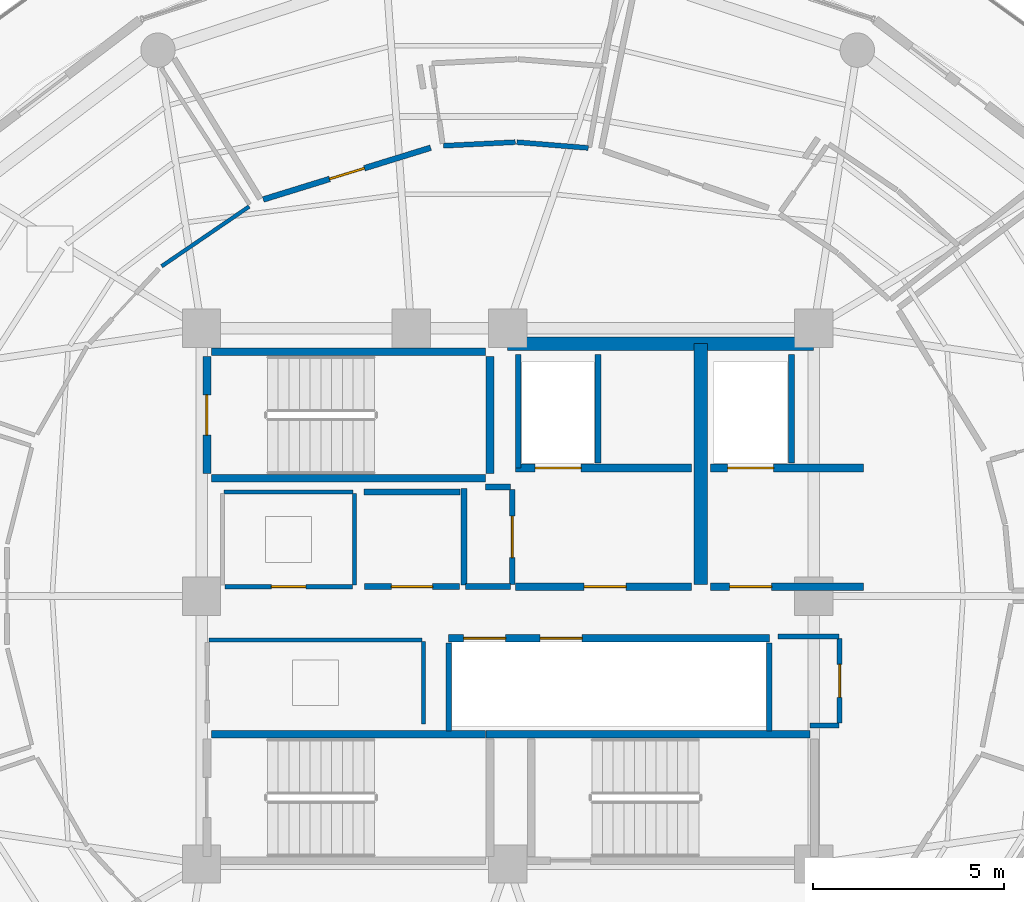
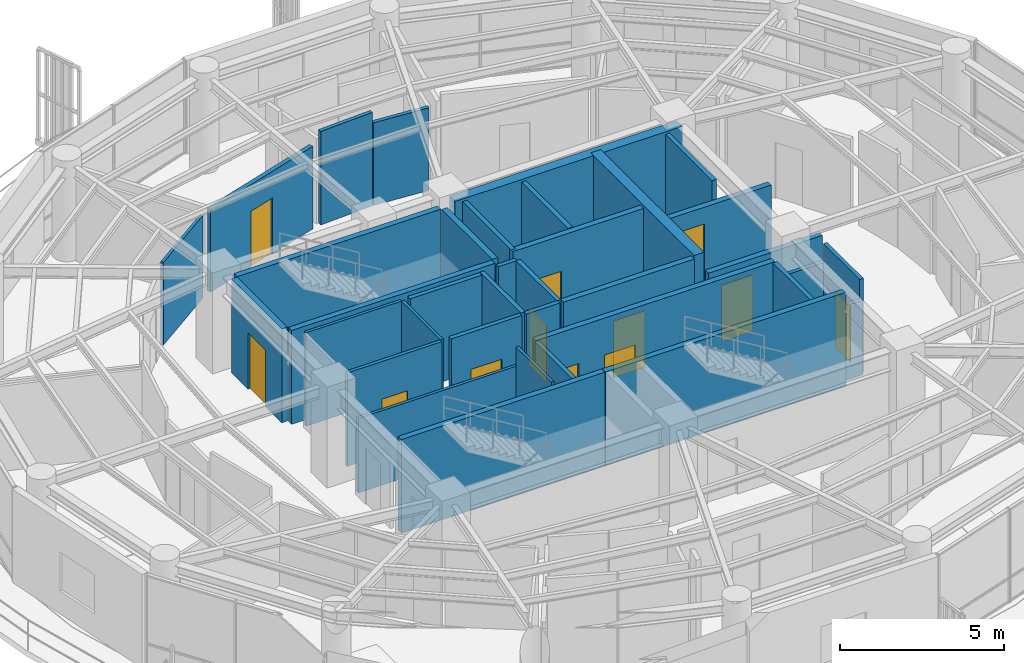
# One storey, part 17 of 23: 36 walls, 12 doors, 12 openings.
"""IFC4 building model written with IfcOpenShell, lengths in metres."""

from ifc_helpers import new_model, si_unit, direction, frame, frame_2d, origin, place, context, subcontext, project, spatial, rectangle, extrude, material, layer, layer_set, type_object, element, fill, save


model = new_model("IFC4")

# Units and contexts
model_context = context("Model", 3, precision=1e-05, world=origin(), true_north=direction((0.0, 1.0)))
body_context = subcontext(model_context, "Body", "Model", "MODEL_VIEW")
ifc_project = project(units=[si_unit("LENGTHUNIT", "METRE"), si_unit("AREAUNIT", "SQUARE_METRE"), si_unit("VOLUMEUNIT", "CUBIC_METRE"), si_unit("PLANEANGLEUNIT", "RADIAN"), si_unit("MASSUNIT", "GRAM", prefix="KILO")], contexts=[model_context])

# Site, building, storey
site_placement = place(None, origin())
site = spatial("IfcSite", under=ifc_project, at=site_placement, CompositionType="ELEMENT")
building_placement = place(site_placement, origin())
building = spatial("IfcBuilding", under=site, at=building_placement, Name="Kelanora Arch Commons", CompositionType="ELEMENT")
storey_placement = place(building_placement, frame((0.0, 0.0, 252.449951171875)))
storey = spatial("IfcBuildingStorey", under=building, at=storey_placement, Name="L64", CompositionType="ELEMENT", Elevation=252.449951171875)

# Walls
ifc_material_1 = material(Name="Autoclaved aerated concrete blockwork with fire plaster", Category="masonry")
ifc_layer_1 = layer(ifc_material_1, 0.14990234375)
ifc_layer_set_1 = layer_set([ifc_layer_1], Name="Autoclaved aerated concrete blockwork with fire plaster")
wall_type_1 = type_object("IfcWallType", Name="W-COMP-150", PredefinedType="PARTITIONING", material=ifc_layer_set_1)
wall_1_placement = place(storey_placement, frame((74.280029296875, 61.35009765625, 0.0), z_axis=(0.0, 0.0, 1.0), x_axis=(0.0, 1.0, 0.0)))
element("IfcWall", 1, at=wall_1_placement, inside=storey, type_object=wall_type_1, Name="Firefighting Lift 1 West Shaft Wall L64", PredefinedType="PARTITIONING", context=body_context, shape_type="SweptSolid", body=[
    extrude(rectangle(XDim=2.969970703125, YDim=0.14990234375, at=frame_2d((1.48486328125, 0.0))), origin(), (0.0, 0.0, 1.0), 3.47998046875),
])
for number, where, z_axis, x_axis, name in (
    (2, (76.360107421875, 61.47998046875, 0.0), (0.0, 0.0, 1.0), (0.0, 1.0, 0.0), "Firefighting Lift 1 East Shaft Wall L64"),
    (3, (81.419921875, 61.47998046875, 0.0), (0.0, 0.0, 1.0), (0.0, 1.0, 0.0), "Firefighting Lift 2 East Shaft Wall L64"),
):
    element("IfcWall", number, at=place(storey_placement, frame(where, z_axis=z_axis, x_axis=x_axis)), inside=storey, type_object=wall_type_1, Name=name, PredefinedType="PARTITIONING", context=body_context, shape_type="SweptSolid", body=[
        extrude(rectangle(XDim=2.840087890625, YDim=0.14990234375, at=frame_2d((1.419921875, 0.0))), origin(), (0.0, 0.0, 1.0), 3.47998046875),
    ])
for number, where, z_axis, x_axis, name in (
    (4, (72.4599609375, 54.47998046875, 0.0), (0.0, 0.0, 1.0), (0.0, 1.0, 0.0), "South Lift Bank West Wall L64"),
    (5, (80.840087890625, 54.47998046875, 0.0), (0.0, 0.0, 1.0), (0.0, 1.0, 0.0), "South Lift Bank East Wall L64"),
):
    element("IfcWall", number, at=place(storey_placement, frame(where, z_axis=z_axis, x_axis=x_axis)), inside=storey, type_object=wall_type_1, Name=name, PredefinedType="PARTITIONING", context=body_context, shape_type="SweptSolid", body=[
        extrude(rectangle(XDim=2.2900390625, YDim=0.14990234375, at=frame_2d((1.14501953125, 0.0))), origin(), (0.0, 0.0, 1.0), 3.47998046875),
    ])

# Wall, opening, door
wall_2_placement = place(storey_placement, frame((74.1201171875, 58.31005859375, 0.0), z_axis=(0.0, 0.0, 1.0), x_axis=(0.0, 1.0, 0.0)))
wall_2 = element("IfcWall", 6, at=wall_2_placement, inside=storey, type_object=wall_type_1, Name="Core Linen Supply Store L64 Entry Partition", PredefinedType="PARTITIONING", context=body_context, shape_type="SweptSolid", body=[
    extrude(rectangle(XDim=2.47998046875, YDim=0.14990234375, at=frame_2d((1.239990234375, 0.0))), origin(), (0.0, 0.0, 1.0), 3.47998046875),
])
opening_1_placement = place(wall_2_placement, frame((0.699951171875, 0.0, 0.0)))
opening_1 = element("IfcOpeningElement", 7, at=opening_1_placement, cuts=wall_2, Name="Opening D-PLT1", PredefinedType="OPENING", context=body_context, shape_type="SweptSolid", body=[
    extrude(rectangle(XDim=1.080078125, YDim=2.10009765625, at=frame_2d((0.5400390625, 1.050048828125))), frame((0.0, 0.0849609375, 0.0), z_axis=(0.0, -1.0, 0.0), x_axis=(1.0, 0.0, 0.0)), (0.0, 0.0, 1.0), 0.169921875),
])
ifc_material_2 = material(Name="Galvanised steel plant and riser fire door", Category="steel")
door_type_1 = type_object("IfcDoorType", Name="D-PLT-110", OperationType="NOTDEFINED", PredefinedType="DOOR", material=ifc_material_2)
door_1_placement = place(opening_1_placement, origin())
door_1 = element("IfcDoor", 8, at=door_1_placement, inside=storey, type_object=door_type_1, Name="Core Linen Supply Store L64 Door", OperationType="SINGLE_SWING_RIGHT", OverallHeight=2.10009765625, OverallWidth=1.080078125, PredefinedType="DOOR", context=body_context, shape_type="SweptSolid", body=[
    extrude(rectangle(XDim=1.080078125, YDim=2.10009765625, at=frame_2d((0.5400390625, 1.050048828125))), frame((0.0, 0.02490234375, 0.0), z_axis=(0.0, -1.0, 0.0), x_axis=(1.0, 0.0, 0.0)), (0.0, 0.0, 1.0), 0.050048828125),
])
fill(opening_1, door_1)

wall_3_placement = place(storey_placement, frame((70.260009765625, 58.25, 0.0), z_axis=(0.0, 0.0, 1.0), x_axis=(1.0, 0.0, 0.0)))
wall_3 = element("IfcWall", 9, at=wall_3_placement, inside=storey, type_object=wall_type_1, Name="Reclaimed Core Linen Store L64 Entry Partition", PredefinedType="PARTITIONING", context=body_context, shape_type="SweptSolid", body=[
    extrude(rectangle(XDim=2.47998046875, YDim=0.14990234375, at=frame_2d((1.239990234375, 0.0))), origin(), (0.0, 0.0, 1.0), 3.47998046875),
])
opening_2_placement = place(wall_3_placement, frame((0.699951171875, 0.0, 0.0)))
opening_2 = element("IfcOpeningElement", 10, at=opening_2_placement, cuts=wall_3, Name="Opening D-PLT1", PredefinedType="OPENING", context=body_context, shape_type="SweptSolid", body=[
    extrude(rectangle(XDim=1.080078125, YDim=2.10009765625, at=frame_2d((0.5400390625, 1.050048828125))), frame((0.0, 0.0849609375, 0.0), z_axis=(0.0, -1.0, 0.0), x_axis=(1.0, 0.0, 0.0)), (0.0, 0.0, 1.0), 0.169921875),
])
door_2_placement = place(opening_2_placement, origin())
door_2 = element("IfcDoor", 11, at=door_2_placement, inside=storey, type_object=door_type_1, Name="Reclaimed Core Linen Store L64 Door", OperationType="SINGLE_SWING_LEFT", OverallHeight=2.10009765625, OverallWidth=1.080078125, PredefinedType="DOOR", context=body_context, shape_type="SweptSolid", body=[
    extrude(rectangle(XDim=1.080078125, YDim=2.10009765625, at=frame_2d((0.5400390625, 1.050048828125))), frame((0.0, 0.02490234375, 0.0), z_axis=(0.0, -1.0, 0.0), x_axis=(1.0, 0.0, 0.0)), (0.0, 0.0, 1.0), 0.050048828125),
])
fill(opening_2, door_2)

wall_4_placement = place(storey_placement, frame((71.98876953125, 69.72119140625, 0.0), z_axis=(0.0, 0.0, 1.0), x_axis=(-0.955414123224, -0.295269119863, 0.0)))
wall_4 = element("IfcWall", 12, at=wall_4_placement, inside=storey, type_object=wall_type_1, Name="Co-Living Studio L64-03 Entry Partition", PredefinedType="PARTITIONING", context=body_context, shape_type="SweptSolid", body=[
    extrude(rectangle(XDim=4.580810546875, YDim=0.14990234375, at=frame_2d((2.29052734375, 0.0))), origin(), (0.0, 0.0, 1.0), 3.074951171875),
])
opening_3_placement = place(wall_4_placement, frame((1.81494140625, 0.0, 0.0)))
opening_3 = element("IfcOpeningElement", 13, at=opening_3_placement, cuts=wall_4, Name="Opening D-CLU1", PredefinedType="OPENING", context=body_context, shape_type="SweptSolid", body=[
    extrude(rectangle(XDim=0.949951171875, YDim=2.080078125, at=frame_2d((0.47509765625, 1.0400390625))), frame((0.0, 0.0849609375, 0.0), z_axis=(0.0, -1.0, 0.0), x_axis=(1.0, 0.0, 0.0)), (0.0, 0.0, 1.0), 0.169921875),
])
ifc_material_3 = material(Name="Solid-core acoustic timber cluster entry fire door", Category="wood")
door_type_2 = type_object("IfcDoorType", Name="D-CLU-95", OperationType="NOTDEFINED", PredefinedType="DOOR", material=ifc_material_3)
door_3_placement = place(opening_3_placement, origin())
door_3 = element("IfcDoor", 14, at=door_3_placement, inside=storey, type_object=door_type_2, Name="Co-Living Studio L64-03 Door", OperationType="SINGLE_SWING_RIGHT", OverallHeight=2.080078125, OverallWidth=0.949951171875, PredefinedType="DOOR", context=body_context, shape_type="SweptSolid", body=[
    extrude(rectangle(XDim=0.949951171875, YDim=2.080078125, at=frame_2d((0.47509765625, 1.0400390625))), frame((0.0, 0.02490234375, 0.0), z_axis=(0.0, -1.0, 0.0), x_axis=(1.0, 0.0, 0.0)), (0.0, 0.0, 1.0), 0.050048828125),
])
fill(opening_3, door_3)

# Walls
wall_5_placement = place(storey_placement, frame((72.89990234375, 58.25, 0.0), z_axis=(0.0, 0.0, 1.0), x_axis=(1.0, 0.0, 0.0)))
element("IfcWall", 15, at=wall_5_placement, inside=storey, type_object=wall_type_1, Name="Core Linen Supply Store L64 Enclosure Partition 1", PredefinedType="PARTITIONING", context=body_context, shape_type="SweptSolid", body=[
    extrude(rectangle(XDim=1.18017578125, YDim=0.14990234375, at=frame_2d((0.590087890625, 0.0))), origin(), (0.0, 0.0, 1.0), 3.47998046875),
])
wall_6_placement = place(storey_placement, frame((74.080078125, 60.85009765625, 0.0), z_axis=(0.0, 0.0, 1.0), x_axis=(-1.0, 0.0, 0.0)))
element("IfcWall", 16, at=wall_6_placement, inside=storey, type_object=wall_type_1, Name="Core Linen Supply Store L64 Enclosure Partition 3", PredefinedType="PARTITIONING", context=body_context, shape_type="SweptSolid", body=[
    extrude(rectangle(XDim=0.66015625, YDim=0.14990234375, at=frame_2d((0.330078125, 0.0))), origin(), (0.0, 0.0, 1.0), 3.47998046875),
])
for number, where, z_axis, x_axis, name in (
    (17, (72.860107421875, 60.81005859375, 0.0), (0.0, 0.0, 1.0), (0.0, -1.0, 0.0), "Core Linen Supply Store L64 Enclosure Partition 4"),
    (18, (72.760009765625, 60.719970703125, 0.0), (0.0, 0.0, 1.0), (-1.0, 0.0, 0.0), "Reclaimed Core Linen Store L64 Enclosure Partition 3"),
):
    element("IfcWall", number, at=place(storey_placement, frame(where, z_axis=z_axis, x_axis=x_axis)), inside=storey, type_object=wall_type_1, Name=name, PredefinedType="PARTITIONING", context=body_context, shape_type="SweptSolid", body=[
        extrude(rectangle(XDim=2.52001953125, YDim=0.14990234375, at=frame_2d((1.260009765625, 0.0))), origin(), (0.0, 0.0, 1.0), 3.47998046875),
    ])
ifc_material_4 = material(Name="Concrete C50/60", Category="concrete")
ifc_layer_2 = layer(ifc_material_4, 0.35009765625)
ifc_layer_set_2 = layer_set([ifc_layer_2], Name="Concrete C50/60")
wall_type_2 = type_object("IfcWallType", Name="W-CORE-350", PredefinedType="SHEAR", material=ifc_layer_set_2)
wall_7_placement = place(storey_placement, frame((74.0, 64.60009765625, 0.0), z_axis=(0.0, 0.0, 1.0), x_axis=(1.0, 0.0, 0.0)))
element("IfcWall", 19, at=wall_7_placement, inside=storey, type_object=wall_type_2, Name="Core Shear Spine L64-CN-E", PredefinedType="SHEAR", context=body_context, shape_type="SweptSolid", body=[
    extrude(rectangle(XDim=8.0, YDim=0.35009765625, at=frame_2d((4.0, 0.0))), origin(), (0.0, 0.0, 1.0), 3.489990234375),
])
wall_8_placement = place(storey_placement, frame((79.050048828125, 58.300048828125, 0.0), z_axis=(0.0, 0.0, 1.0), x_axis=(0.0, 1.0, 0.0)))
element("IfcWall", 20, at=wall_8_placement, inside=storey, type_object=wall_type_2, Name="Core Shear Spine L64-CE-N", PredefinedType="SHEAR", context=body_context, shape_type="SweptSolid", body=[
    extrude(rectangle(XDim=6.300048828125, YDim=0.35009765625, at=frame_2d((3.14990234375, 0.0))), origin(), (0.0, 0.0, 1.0), 3.489990234375),
])

# Wall, opening, door
ifc_material_5 = material(Name="Concrete C40/50", Category="concrete")
ifc_layer_3 = layer(ifc_material_5, 0.199951171875)
ifc_layer_set_3 = layer_set([ifc_layer_3], Name="Concrete C40/50")
wall_type_3 = type_object("IfcWallType", Name="W-FFL-200", PredefinedType="SOLIDWALL", material=ifc_layer_set_3)
wall_9_placement = place(storey_placement, frame((74.199951171875, 61.35009765625, 0.0), z_axis=(0.0, 0.0, 1.0), x_axis=(1.0, 0.0, 0.0)))
wall_9 = element("IfcWall", 21, at=wall_9_placement, inside=storey, type_object=wall_type_3, Name="Firefighting Lift 1 Shaft Front L64", PredefinedType="SOLIDWALL", context=body_context, shape_type="SweptSolid", body=[
    extrude(rectangle(XDim=4.60009765625, YDim=0.199951171875, at=frame_2d((2.300048828125, 0.0))), origin(), (0.0, 0.0, 1.0), 3.47998046875),
])
opening_4_placement = place(wall_9_placement, frame((0.52001953125, 0.0, 0.0)))
opening_4 = element("IfcOpeningElement", 22, at=opening_4_placement, cuts=wall_9, Name="Opening LD-FF", PredefinedType="OPENING", context=body_context, shape_type="SweptSolid", body=[
    extrude(rectangle(XDim=1.199951171875, YDim=2.14990234375, at=frame_2d((0.60009765625, 1.074951171875))), frame((0.0, 0.10986328125, 0.0), z_axis=(0.0, -1.0, 0.0), x_axis=(1.0, 0.0, 0.0)), (0.0, 0.0, 1.0), 0.219970703125),
])
ifc_material_6 = material(Name="Fire-rated firefighters lift sliding landing door")
door_type_3 = type_object("IfcDoorType", Name="D-LIFT-FF", OperationType="NOTDEFINED", PredefinedType="DOOR", material=ifc_material_6)
door_4_placement = place(opening_4_placement, origin())
door_4 = element("IfcDoor", 23, at=door_4_placement, inside=storey, type_object=door_type_3, Name="Firefighting Lift LF-FF1 Landing Door L64", OperationType="DOUBLE_DOOR_SLIDING", OverallHeight=2.14990234375, OverallWidth=1.199951171875, PredefinedType="DOOR", context=body_context, shape_type="SweptSolid", body=[
    extrude(rectangle(XDim=1.199951171875, YDim=2.14990234375, at=frame_2d((0.60009765625, 1.074951171875))), frame((0.0, 0.02490234375, 0.0), z_axis=(0.0, -1.0, 0.0), x_axis=(1.0, 0.0, 0.0)), (0.0, 0.0, 1.0), 0.050048828125),
])
fill(opening_4, door_4)

wall_10_placement = place(storey_placement, frame((79.300048828125, 61.35009765625, 0.0), z_axis=(0.0, 0.0, 1.0), x_axis=(1.0, 0.0, 0.0)))
wall_10 = element("IfcWall", 24, at=wall_10_placement, inside=storey, type_object=wall_type_3, Name="Firefighting Lift 2 Shaft Front L64", PredefinedType="SOLIDWALL", context=body_context, shape_type="SweptSolid", body=[
    extrude(rectangle(XDim=4.0, YDim=0.199951171875, at=frame_2d((2.0, 0.0))), origin(), (0.0, 0.0, 1.0), 2.775146484375),
])
opening_5_placement = place(wall_10_placement, frame((0.449951171875, 0.0, 0.0)))
opening_5 = element("IfcOpeningElement", 25, at=opening_5_placement, cuts=wall_10, Name="Opening LD-FF", PredefinedType="OPENING", context=body_context, shape_type="SweptSolid", body=[
    extrude(rectangle(XDim=1.199951171875, YDim=2.14990234375, at=frame_2d((0.60009765625, 1.074951171875))), frame((0.0, 0.10986328125, 0.0), z_axis=(0.0, -1.0, 0.0), x_axis=(1.0, 0.0, 0.0)), (0.0, 0.0, 1.0), 0.219970703125),
])
door_5_placement = place(opening_5_placement, origin())
door_5 = element("IfcDoor", 26, at=door_5_placement, inside=storey, type_object=door_type_3, Name="Firefighting Lift LF-FF2 Landing Door L64", OperationType="DOUBLE_DOOR_SLIDING", OverallHeight=2.14990234375, OverallWidth=1.199951171875, PredefinedType="DOOR", context=body_context, shape_type="SweptSolid", body=[
    extrude(rectangle(XDim=1.199951171875, YDim=2.14990234375, at=frame_2d((0.60009765625, 1.074951171875))), frame((0.0, 0.02490234375, 0.0), z_axis=(0.0, -1.0, 0.0), x_axis=(1.0, 0.0, 0.0)), (0.0, 0.0, 1.0), 0.050048828125),
])
fill(opening_5, door_5)

wall_11_placement = place(storey_placement, frame((74.199951171875, 58.25, 0.0), z_axis=(0.0, 0.0, 1.0), x_axis=(1.0, 0.0, 0.0)))
wall_11 = element("IfcWall", 27, at=wall_11_placement, inside=storey, type_object=wall_type_3, Name="Firefighting Lobby 1 Enclosure Wall L64", PredefinedType="SOLIDWALL", context=body_context, shape_type="SweptSolid", body=[
    extrude(rectangle(XDim=4.60009765625, YDim=0.199951171875, at=frame_2d((2.300048828125, 0.0))), origin(), (0.0, 0.0, 1.0), 3.47998046875),
])
opening_6_placement = place(wall_11_placement, frame((1.800048828125, 0.0, 0.0)))
opening_6 = element("IfcOpeningElement", 28, at=opening_6_placement, cuts=wall_11, Name="Opening D-FFL1", PredefinedType="OPENING", context=body_context, shape_type="SweptSolid", body=[
    extrude(rectangle(XDim=1.10009765625, YDim=2.10009765625, at=frame_2d((0.550048828125, 1.050048828125))), frame((0.0, 0.10986328125, 0.0), z_axis=(0.0, -1.0, 0.0), x_axis=(1.0, 0.0, 0.0)), (0.0, 0.0, 1.0), 0.219970703125),
])
ifc_material_7 = material(Name="Smoke-sealed firefighting lobby fire door")
door_type_4 = type_object("IfcDoorType", Name="D-FFL-110", OperationType="NOTDEFINED", PredefinedType="DOOR", material=ifc_material_7)
door_6_placement = place(opening_6_placement, frame((1.10009765625, 0.0, 0.0), z_axis=(0.0, 0.0, 1.0), x_axis=(-1.0, 0.0, 0.0)))
door_6 = element("IfcDoor", 29, at=door_6_placement, inside=storey, type_object=door_type_4, Name="Firefighting Lobby 1 Door L64", OperationType="SINGLE_SWING_LEFT", OverallHeight=2.10009765625, OverallWidth=1.10009765625, PredefinedType="DOOR", context=body_context, shape_type="SweptSolid", body=[
    extrude(rectangle(XDim=1.10009765625, YDim=2.10009765625, at=frame_2d((0.550048828125, 1.050048828125))), frame((0.0, 0.02490234375, 0.0), z_axis=(0.0, -1.0, 0.0), x_axis=(1.0, 0.0, 0.0)), (0.0, 0.0, 1.0), 0.050048828125),
])
fill(opening_6, door_6)

wall_12_placement = place(storey_placement, frame((79.300048828125, 58.25, 0.0), z_axis=(0.0, 0.0, 1.0), x_axis=(1.0, 0.0, 0.0)))
wall_12 = element("IfcWall", 30, at=wall_12_placement, inside=storey, type_object=wall_type_3, Name="Firefighting Lobby 2 Enclosure Wall L64", PredefinedType="SOLIDWALL", context=body_context, shape_type="SweptSolid", body=[
    extrude(rectangle(XDim=4.0, YDim=0.199951171875, at=frame_2d((2.0, 0.0))), origin(), (0.0, 0.0, 1.0), 2.775146484375),
])
opening_7_placement = place(wall_12_placement, frame((0.5, 0.0, 0.0)))
opening_7 = element("IfcOpeningElement", 31, at=opening_7_placement, cuts=wall_12, Name="Opening D-FFL1", PredefinedType="OPENING", context=body_context, shape_type="SweptSolid", body=[
    extrude(rectangle(XDim=1.10009765625, YDim=2.10009765625, at=frame_2d((0.550048828125, 1.050048828125))), frame((0.0, 0.10986328125, 0.0), z_axis=(0.0, -1.0, 0.0), x_axis=(1.0, 0.0, 0.0)), (0.0, 0.0, 1.0), 0.219970703125),
])
door_7_placement = place(opening_7_placement, frame((1.10009765625, 0.0, 0.0), z_axis=(0.0, 0.0, 1.0), x_axis=(-1.0, 0.0, 0.0)))
door_7 = element("IfcDoor", 32, at=door_7_placement, inside=storey, type_object=door_type_4, Name="Firefighting Lobby 2 Door L64", OperationType="SINGLE_SWING_RIGHT", OverallHeight=2.10009765625, OverallWidth=1.10009765625, PredefinedType="DOOR", context=body_context, shape_type="SweptSolid", body=[
    extrude(rectangle(XDim=1.10009765625, YDim=2.10009765625, at=frame_2d((0.550048828125, 1.050048828125))), frame((0.0, 0.02490234375, 0.0), z_axis=(0.0, -1.0, 0.0), x_axis=(1.0, 0.0, 0.0)), (0.0, 0.0, 1.0), 0.050048828125),
])
fill(opening_7, door_7)

# Wall, openings, doors
wall_13_placement = place(storey_placement, frame((72.449951171875, 56.89990234375, 0.0), z_axis=(0.0, 0.0, 1.0), x_axis=(1.0, 0.0, 0.0)))
wall_13 = element("IfcWall", 33, at=wall_13_placement, inside=storey, type_object=wall_type_3, Name="Mid/High/Express Lift Shaft Front L64", PredefinedType="SOLIDWALL", context=body_context, shape_type="SweptSolid", body=[
    extrude(rectangle(XDim=8.400146484375, YDim=0.199951171875, at=frame_2d((4.2001953125, 0.0))), origin(), (0.0, 0.0, 1.0), 3.47998046875),
])
opening_8_placement = place(wall_13_placement, frame((0.39990234375, 0.0, 0.0)))
opening_8 = element("IfcOpeningElement", 34, at=opening_8_placement, cuts=wall_13, Name="Opening LD-01", PredefinedType="OPENING", context=body_context, shape_type="SweptSolid", body=[
    extrude(rectangle(XDim=1.10009765625, YDim=2.10009765625, at=frame_2d((0.550048828125, 1.050048828125))), frame((0.0, 0.10986328125, 0.0), z_axis=(0.0, -1.0, 0.0), x_axis=(1.0, 0.0, 0.0)), (0.0, 0.0, 1.0), 0.219970703125),
])
opening_9_placement = place(wall_13_placement, frame((2.39990234375, 0.0, 0.0)))
opening_9 = element("IfcOpeningElement", 35, at=opening_9_placement, cuts=wall_13, Name="Opening LD-01", PredefinedType="OPENING", context=body_context, shape_type="SweptSolid", body=[
    extrude(rectangle(XDim=1.10009765625, YDim=2.10009765625, at=frame_2d((0.550048828125, 1.050048828125))), frame((0.0, 0.10986328125, 0.0), z_axis=(0.0, -1.0, 0.0), x_axis=(1.0, 0.0, 0.0)), (0.0, 0.0, 1.0), 0.219970703125),
])
ifc_material_8 = material(Name="Stainless steel passenger lift sliding landing door", Category="steel")
door_type_5 = type_object("IfcDoorType", Name="D-LIFT-110", OperationType="NOTDEFINED", PredefinedType="DOOR", material=ifc_material_8)
door_8_placement = place(opening_8_placement, origin())
door_8 = element("IfcDoor", 36, at=door_8_placement, inside=storey, type_object=door_type_5, Name="Passenger Lift LF-P7 Landing Door L64", OperationType="DOUBLE_DOOR_SLIDING", OverallHeight=2.10009765625, OverallWidth=1.10009765625, PredefinedType="DOOR", context=body_context, shape_type="SweptSolid", body=[
    extrude(rectangle(XDim=1.10009765625, YDim=2.10009765625, at=frame_2d((0.550048828125, 1.050048828125))), frame((0.0, 0.02490234375, 0.0), z_axis=(0.0, -1.0, 0.0), x_axis=(1.0, 0.0, 0.0)), (0.0, 0.0, 1.0), 0.050048828125),
])
fill(opening_8, door_8)
door_9_placement = place(opening_9_placement, origin())
door_9 = element("IfcDoor", 37, at=door_9_placement, inside=storey, type_object=door_type_5, Name="Passenger Lift LF-P8 Landing Door L64", OperationType="DOUBLE_DOOR_SLIDING", OverallHeight=2.10009765625, OverallWidth=1.10009765625, PredefinedType="DOOR", context=body_context, shape_type="SweptSolid", body=[
    extrude(rectangle(XDim=1.10009765625, YDim=2.10009765625, at=frame_2d((0.550048828125, 1.050048828125))), frame((0.0, 0.02490234375, 0.0), z_axis=(0.0, -1.0, 0.0), x_axis=(1.0, 0.0, 0.0)), (0.0, 0.0, 1.0), 0.050048828125),
])
fill(opening_9, door_9)

# Walls
ifc_material_9 = material(Name="Lightweight fire-rated acoustic stud partition")
ifc_layer_4 = layer(ifc_material_9, 0.10009765625)
ifc_layer_set_4 = layer_set([ifc_layer_4], Name="Lightweight fire-rated acoustic stud partition")
wall_type_4 = type_object("IfcWallType", Name="W-PART-100", PredefinedType="PARTITIONING", material=ifc_layer_set_4)
wall_14_placement = place(storey_placement, frame((70.0, 58.2900390625, 0.0), z_axis=(0.0, 0.0, 1.0), x_axis=(0.0, 1.0, 0.0)))
element("IfcWall", 38, at=wall_14_placement, inside=storey, type_object=wall_type_4, Name="Reclaimed Core Quiet Phone Booths L64 Enclosure Partition 2", PredefinedType="PARTITIONING", context=body_context, shape_type="SweptSolid", body=[
    extrude(rectangle(XDim=2.389892578125, YDim=0.10009765625, at=frame_2d((1.19482421875, 0.0))), origin(), (0.0, 0.0, 1.0), 3.47998046875),
])
wall_15_placement = place(storey_placement, frame((69.9599609375, 60.719970703125, 0.0), z_axis=(0.0, 0.0, 1.0), x_axis=(-1.0, 0.0, 0.0)))
element("IfcWall", 39, at=wall_15_placement, inside=storey, type_object=wall_type_4, Name="Reclaimed Core Quiet Phone Booths L64 Enclosure Partition 3", PredefinedType="PARTITIONING", context=body_context, shape_type="SweptSolid", body=[
    extrude(rectangle(XDim=3.369873046875, YDim=0.10009765625, at=frame_2d((1.68505859375, 0.0))), origin(), (0.0, 0.0, 1.0), 3.47998046875),
])
wall_16_placement = place(storey_placement, frame((71.800048828125, 54.659912109375, 0.0), z_axis=(0.0, 0.0, 1.0), x_axis=(0.0, 1.0, 0.0)))
element("IfcWall", 40, at=wall_16_placement, inside=storey, type_object=wall_type_4, Name="Reclaimed Core High-Zone Pantry and Copy Room L64 Enclosure Partition 2", PredefinedType="PARTITIONING", context=body_context, shape_type="SweptSolid", body=[
    extrude(rectangle(XDim=2.150146484375, YDim=0.10009765625, at=frame_2d((1.0751953125, 0.0))), origin(), (0.0, 0.0, 1.0), 3.47998046875),
])
wall_17_placement = place(storey_placement, frame((71.760009765625, 56.85009765625, 0.0), z_axis=(0.0, 0.0, 1.0), x_axis=(-1.0, 0.0, 0.0)))
element("IfcWall", 41, at=wall_17_placement, inside=storey, type_object=wall_type_4, Name="Reclaimed Core High-Zone Pantry and Copy Room L64 Enclosure Partition 3", PredefinedType="PARTITIONING", context=body_context, shape_type="SweptSolid", body=[
    extrude(rectangle(XDim=5.570068359375, YDim=0.10009765625, at=frame_2d((2.78515625, 0.0))), origin(), (0.0, 0.0, 1.0), 2.775146484375),
])
wall_18_placement = place(storey_placement, frame((67.242919921875, 68.18359375, 0.0), z_axis=(0.0, 0.0, 1.0), x_axis=(-0.826087380575, -0.563542047814, 0.0)))
element("IfcWall", 42, at=wall_18_placement, inside=storey, type_object=wall_type_4, Name="Communal Dining and Social Hall L64-04 Enclosure Partition 1", PredefinedType="PARTITIONING", context=body_context, shape_type="SweptSolid", body=[
    extrude(rectangle(XDim=2.768310546875, YDim=0.10009765625, at=frame_2d((1.38427734375, 0.0))), origin(), (0.0, 0.0, 1.0), 3.074951171875),
])

# Wall, opening, door
ifc_material_10 = material(Name="Acoustic twin-stud fire-rated gypsum partition")
ifc_layer_5 = layer(ifc_material_10, 0.1201171875)
ifc_layer_set_5 = layer_set([ifc_layer_5], Name="Acoustic twin-stud fire-rated gypsum partition")
wall_type_5 = type_object("IfcWallType", Name="W-PART-120", PredefinedType="PARTITIONING", material=ifc_layer_set_5)
wall_19_placement = place(storey_placement, frame((66.610107421875, 58.25, 0.0), z_axis=(0.0, 0.0, 1.0), x_axis=(1.0, 0.0, 0.0)))
wall_19 = element("IfcWall", 43, at=wall_19_placement, inside=storey, type_object=wall_type_5, Name="Reclaimed Core Quiet Phone Booths L64 Entry Partition", PredefinedType="PARTITIONING", context=body_context, shape_type="SweptSolid", body=[
    extrude(rectangle(XDim=3.329833984375, YDim=0.1201171875, at=frame_2d((1.6650390625, 0.0))), origin(), (0.0, 0.0, 1.0), 3.47998046875),
])
opening_10_placement = place(wall_19_placement, frame((1.215087890625, 0.0, 0.0)))
opening_10 = element("IfcOpeningElement", 44, at=opening_10_placement, cuts=wall_19, Name="Opening D-RM1", PredefinedType="OPENING", context=body_context, shape_type="SweptSolid", body=[
    extrude(rectangle(XDim=0.89990234375, YDim=2.080078125, at=frame_2d((0.449951171875, 1.0400390625))), frame((0.0, 0.070068359375, 0.0), z_axis=(0.0, -1.0, 0.0), x_axis=(1.0, 0.0, 0.0)), (0.0, 0.0, 1.0), 0.14013671875),
])
ifc_material_11 = material(Name="Acoustic fire-rated timber study and lounge door", Category="wood")
door_type_6 = type_object("IfcDoorType", Name="D-ROOM-90", OperationType="NOTDEFINED", PredefinedType="DOOR", material=ifc_material_11)
door_10_placement = place(opening_10_placement, origin())
door_10 = element("IfcDoor", 45, at=door_10_placement, inside=storey, type_object=door_type_6, Name="Reclaimed Core Quiet Phone Booths L64 Door", OperationType="SINGLE_SWING_RIGHT", OverallHeight=2.080078125, OverallWidth=0.89990234375, PredefinedType="DOOR", context=body_context, shape_type="SweptSolid", body=[
    extrude(rectangle(XDim=0.89990234375, YDim=2.080078125, at=frame_2d((0.449951171875, 1.0400390625))), frame((0.0, 0.02490234375, 0.0), z_axis=(0.0, -1.0, 0.0), x_axis=(1.0, 0.0, 0.0)), (0.0, 0.0, 1.0), 0.050048828125),
])
fill(opening_10, door_10)

# Walls
ifc_layer_6 = layer(ifc_material_5, 0.199951171875)
ifc_layer_set_6 = layer_set([ifc_layer_6], Name="Concrete C40/50")
wall_type_6 = type_object("IfcWallType", Name="W-STAIR-200", PredefinedType="SHEAR", material=ifc_layer_set_6)
wall_20_placement = place(storey_placement, frame((66.260009765625, 61.080078125, 0.0), z_axis=(0.0, 0.0, 1.0), x_axis=(1.0, 0.0, 0.0)))
element("IfcWall", 46, at=wall_20_placement, inside=storey, type_object=wall_type_6, Name="Stair ST-T1 Shaft Wall S L64", PredefinedType="SHEAR", context=body_context, shape_type="SweptSolid", body=[
    extrude(rectangle(XDim=7.159912109375, YDim=0.199951171875, at=frame_2d((3.580078125, 0.0))), origin(), (0.0, 0.0, 1.0), 3.489990234375),
])
wall_21_placement = place(storey_placement, frame((73.5400390625, 61.199951171875, 0.0), z_axis=(0.0, 0.0, 1.0), x_axis=(0.0, 1.0, 0.0)))
element("IfcWall", 47, at=wall_21_placement, inside=storey, type_object=wall_type_6, Name="Stair ST-T1 Shaft Wall E L64", PredefinedType="SHEAR", context=body_context, shape_type="SweptSolid", body=[
    extrude(rectangle(XDim=3.070068359375, YDim=0.199951171875, at=frame_2d((1.53515625, 0.0))), origin(), (0.0, 0.0, 1.0), 3.489990234375),
])
wall_22_placement = place(storey_placement, frame((73.419921875, 64.389892578125, 0.0), z_axis=(0.0, 0.0, 1.0), x_axis=(-1.0, 0.0, 0.0)))
element("IfcWall", 48, at=wall_22_placement, inside=storey, type_object=wall_type_6, Name="Stair ST-T1 Shaft Wall N L64", PredefinedType="SHEAR", context=body_context, shape_type="SweptSolid", body=[
    extrude(rectangle(XDim=7.159912109375, YDim=0.199951171875, at=frame_2d((3.580078125, 0.0))), origin(), (0.0, 0.0, 1.0), 3.489990234375),
])

# Wall, opening, door
wall_23_placement = place(storey_placement, frame((66.139892578125, 64.27001953125, 0.0), z_axis=(0.0, 0.0, 1.0), x_axis=(0.0, -1.0, 0.0)))
wall_23 = element("IfcWall", 49, at=wall_23_placement, inside=storey, type_object=wall_type_6, Name="Stair ST-T1 Shaft Wall W L64", PredefinedType="SHEAR", context=body_context, shape_type="SweptSolid", body=[
    extrude(rectangle(XDim=3.070068359375, YDim=0.199951171875, at=frame_2d((1.53515625, 0.0))), origin(), (0.0, 0.0, 1.0), 3.489990234375),
])
opening_11_placement = place(wall_23_placement, frame((1.010009765625, 0.0, 0.0)))
opening_11 = element("IfcOpeningElement", 50, at=opening_11_placement, cuts=wall_23, Name="Opening D-ST1", PredefinedType="OPENING", context=body_context, shape_type="SweptSolid", body=[
    extrude(rectangle(XDim=1.050048828125, YDim=2.10009765625, at=frame_2d((0.52490234375, 1.050048828125))), frame((0.0, 0.10986328125, 0.0), z_axis=(0.0, -1.0, 0.0), x_axis=(1.0, 0.0, 0.0)), (0.0, 0.0, 1.0), 0.219970703125),
])
ifc_material_12 = material(Name="Steel fire-rated stairwell escape door", Category="steel")
door_type_7 = type_object("IfcDoorType", Name="D-STAIR-110", OperationType="NOTDEFINED", PredefinedType="DOOR", material=ifc_material_12)
door_11_placement = place(opening_11_placement, origin())
door_11 = element("IfcDoor", 51, at=door_11_placement, inside=storey, type_object=door_type_7, Name="Stair ST-T1 Escape Door L64", OperationType="SINGLE_SWING_LEFT", OverallHeight=2.10009765625, OverallWidth=1.050048828125, PredefinedType="DOOR", context=body_context, shape_type="SweptSolid", body=[
    extrude(rectangle(XDim=1.050048828125, YDim=2.10009765625, at=frame_2d((0.52490234375, 1.050048828125))), frame((0.0, 0.02490234375, 0.0), z_axis=(0.0, -1.0, 0.0), x_axis=(1.0, 0.0, 0.0)), (0.0, 0.0, 1.0), 0.050048828125),
])
fill(opening_11, door_11)

# Walls
wall_24_placement = place(storey_placement, frame((81.89990234375, 54.389892578125, 0.0), z_axis=(0.0, 0.0, 1.0), x_axis=(-1.0, 0.0, 0.0)))
element("IfcWall", 52, at=wall_24_placement, inside=storey, type_object=wall_type_6, Name="Stair ST-T2 Shaft Wall N L64", PredefinedType="SHEAR", context=body_context, shape_type="SweptSolid", body=[
    extrude(rectangle(XDim=8.4599609375, YDim=0.199951171875, at=frame_2d((4.22998046875, 0.0))), origin(), (0.0, 0.0, 1.0), 3.489990234375),
])
wall_25_placement = place(storey_placement, frame((73.419921875, 54.389892578125, 0.0), z_axis=(0.0, 0.0, 1.0), x_axis=(-1.0, 0.0, 0.0)))
element("IfcWall", 53, at=wall_25_placement, inside=storey, type_object=wall_type_6, Name="Stair ST-T3 Shaft Wall N L64", PredefinedType="SHEAR", context=body_context, shape_type="SweptSolid", body=[
    extrude(rectangle(XDim=7.159912109375, YDim=0.199951171875, at=frame_2d((3.580078125, 0.0))), origin(), (0.0, 0.0, 1.0), 3.489990234375),
])

# Wall, opening, door
ifc_material_13 = material(Name="Moisture-resistant fire-rated cement-board plumbing wall")
ifc_layer_7 = layer(ifc_material_13, 0.1298828125)
ifc_layer_set_7 = layer_set([ifc_layer_7], Name="Moisture-resistant fire-rated cement-board plumbing wall")
wall_type_7 = type_object("IfcWallType", Name="W-WET-120", PredefinedType="PLUMBINGWALL", material=ifc_layer_set_7)
wall_26_placement = place(storey_placement, frame((82.679931640625, 54.679931640625, 0.0), z_axis=(0.0, 0.0, 1.0), x_axis=(0.0, 1.0, 0.0)))
wall_26 = element("IfcWall", 54, at=wall_26_placement, inside=storey, type_object=wall_type_7, Name="Core Accessible Unisex WC L64 Entry Partition", PredefinedType="PLUMBINGWALL", context=body_context, shape_type="SweptSolid", body=[
    extrude(rectangle(XDim=2.2099609375, YDim=0.1298828125, at=frame_2d((1.10498046875, 0.0))), origin(), (0.0, 0.0, 1.0), 3.47998046875),
])
opening_12_placement = place(wall_26_placement, frame((0.675048828125, 0.0, 0.0)))
opening_12 = element("IfcOpeningElement", 55, at=opening_12_placement, cuts=wall_26, Name="Opening D-BT1", PredefinedType="OPENING", context=body_context, shape_type="SweptSolid", body=[
    extrude(rectangle(XDim=0.860107421875, YDim=2.050048828125, at=frame_2d((0.43017578125, 1.02490234375))), frame((0.0, 0.074951171875, 0.0), z_axis=(0.0, -1.0, 0.0), x_axis=(1.0, 0.0, 0.0)), (0.0, 0.0, 1.0), 0.14990234375),
])
ifc_material_14 = material(Name="Moisture-sealed fire-rated accessible bathroom door")
door_type_8 = type_object("IfcDoorType", Name="D-BATH-85", OperationType="NOTDEFINED", PredefinedType="DOOR", material=ifc_material_14)
door_12_placement = place(opening_12_placement, origin())
door_12 = element("IfcDoor", 56, at=door_12_placement, inside=storey, type_object=door_type_8, Name="Core Accessible Unisex WC L64 Door", OperationType="SINGLE_SWING_LEFT", OverallHeight=2.050048828125, OverallWidth=0.860107421875, PredefinedType="DOOR", context=body_context, shape_type="SweptSolid", body=[
    extrude(rectangle(XDim=0.860107421875, YDim=2.050048828125, at=frame_2d((0.43017578125, 1.02490234375))), frame((0.0, 0.02490234375, 0.0), z_axis=(0.0, -1.0, 0.0), x_axis=(1.0, 0.0, 0.0)), (0.0, 0.0, 1.0), 0.050048828125),
])
fill(opening_12, door_12)

# Walls
wall_27_placement = place(storey_placement, frame((81.89990234375, 54.6201171875, 0.0), z_axis=(0.0, 0.0, 1.0), x_axis=(1.0, 0.0, 0.0)))
element("IfcWall", 57, at=wall_27_placement, inside=storey, type_object=wall_type_7, Name="Core Accessible Unisex WC L64 Enclosure Partition 1", PredefinedType="PLUMBINGWALL", context=body_context, shape_type="SweptSolid", body=[
    extrude(rectangle(XDim=0.760009765625, YDim=0.1298828125, at=frame_2d((0.3798828125, 0.0))), origin(), (0.0, 0.0, 1.0), 2.775146484375),
])
wall_28_placement = place(storey_placement, frame((82.659912109375, 56.949951171875, 0.0), z_axis=(0.0, 0.0, 1.0), x_axis=(-1.0, 0.0, 0.0)))
element("IfcWall", 58, at=wall_28_placement, inside=storey, type_object=wall_type_7, Name="Core Accessible Unisex WC L64 Enclosure Partition 3", PredefinedType="PLUMBINGWALL", context=body_context, shape_type="SweptSolid", body=[
    extrude(rectangle(XDim=1.58984375, YDim=0.1298828125, at=frame_2d((0.794921875, 0.0))), origin(), (0.0, 0.0, 1.0), 2.775146484375),
])
wall_29_placement = place(storey_placement, frame((76.108154296875, 69.715576171875, 0.0), z_axis=(0.0, 0.0, 1.0), x_axis=(-0.996754521178, 0.080501083911, 0.0)))
element("IfcWall", 59, at=wall_29_placement, inside=storey, type_object=wall_type_7, Name="En-Suite Shower WC L64-03 Enclosure Partition 1", PredefinedType="PLUMBINGWALL", context=body_context, shape_type="SweptSolid", body=[
    extrude(rectangle(XDim=1.874267578125, YDim=0.1298828125, at=frame_2d((0.93701171875, 0.0))), origin(), (0.0, 0.0, 1.0), 3.074951171875),
])
wall_30_placement = place(storey_placement, frame((74.199951171875, 69.866943359375, 0.0), z_axis=(0.0, 0.0, 1.0), x_axis=(-0.998743232436, -0.050119414036, 0.0)))
element("IfcWall", 60, at=wall_30_placement, inside=storey, type_object=wall_type_7, Name="En-Suite Shower WC L64-03 Enclosure Partition 2", PredefinedType="PLUMBINGWALL", context=body_context, shape_type="SweptSolid", body=[
    extrude(rectangle(XDim=1.87548828125, YDim=0.1298828125, at=frame_2d((0.937744140625, 0.0))), origin(), (0.0, 0.0, 1.0), 3.47998046875),
])

save(model, "model.ifc")
